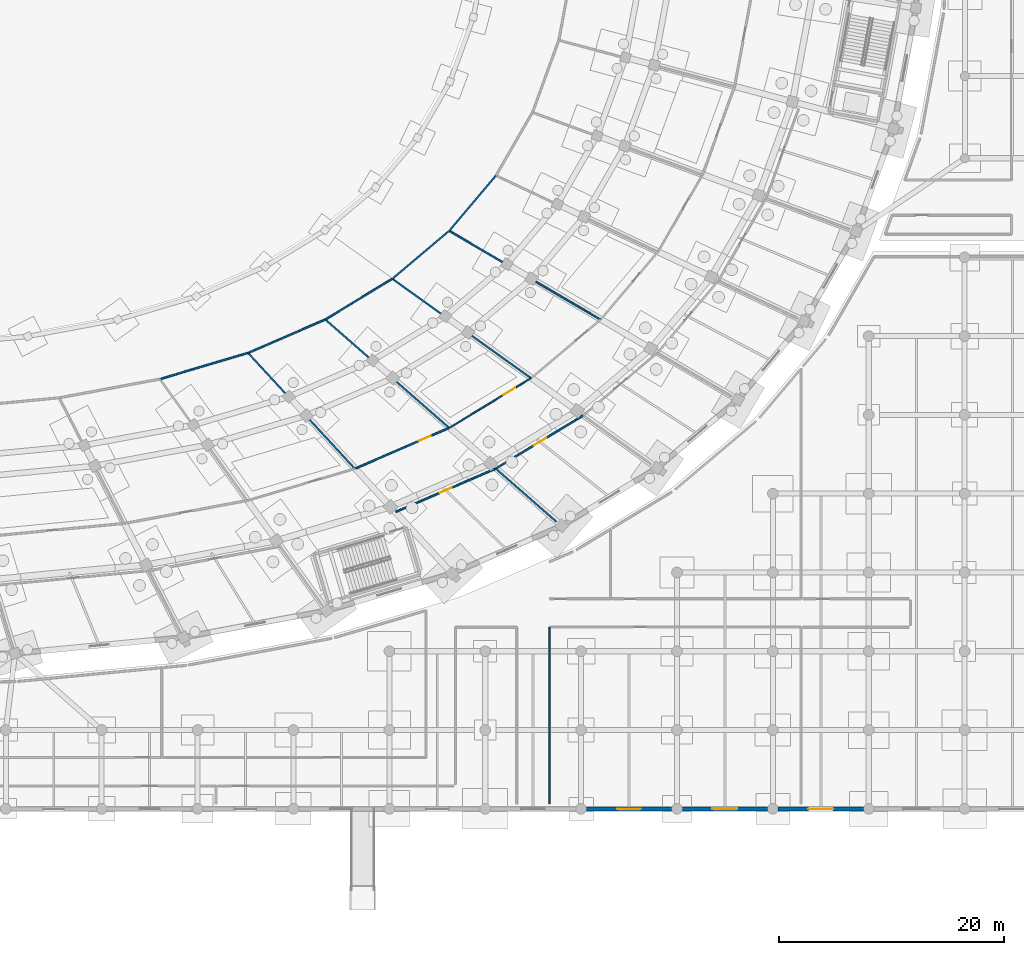
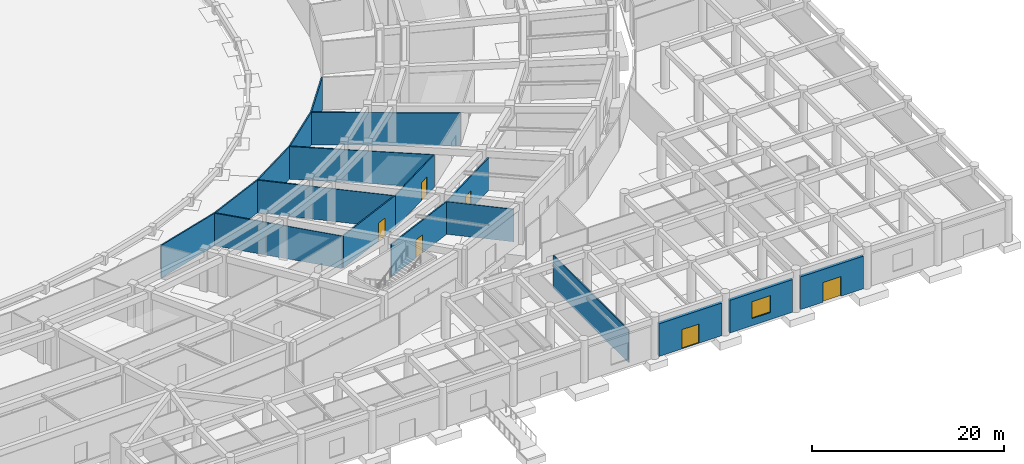
# One storey, part 50 of 88: 18 walls, 6 doors, 1 window, 7 openings.
"""IFC4 building model written with IfcOpenShell, lengths in metres."""

from ifc_helpers import new_model, si_unit, direction, frame, frame_2d, origin, place, context, subcontext, project, spatial, rectangle, extrude, material, layer, layer_set, type_object, element, fill, save


model = new_model("IFC4")

# Units and contexts
model_context = context("Model", 3, precision=1e-05, world=origin(), true_north=direction((0.0, 1.0)))
body_context = subcontext(model_context, "Body", "Model", "MODEL_VIEW")
ifc_project = project(units=[si_unit("LENGTHUNIT", "METRE"), si_unit("AREAUNIT", "SQUARE_METRE"), si_unit("VOLUMEUNIT", "CUBIC_METRE"), si_unit("PLANEANGLEUNIT", "RADIAN"), si_unit("MASSUNIT", "GRAM", prefix="KILO")], contexts=[model_context])

# Site, building, storey
site_placement = place(None, origin())
site = spatial("IfcSite", under=ifc_project, at=site_placement, CompositionType="ELEMENT")
building_placement = place(site_placement, origin())
building = spatial("IfcBuilding", under=site, at=building_placement, Name="Mphavela Belvedere Stadium", CompositionType="ELEMENT")
storey_placement = place(building_placement, origin())
storey = spatial("IfcBuildingStorey", under=building, at=storey_placement, Name="L00", CompositionType="ELEMENT", Elevation=0.0)

# Wall, opening, door
ifc_material_1 = material(Name="Honed ashlar limestone masonry", Category="masonry")
ifc_layer_1 = layer(ifc_material_1, 0.35009765625)
ifc_layer_set_1 = layer_set([ifc_layer_1], Name="Honed ashlar limestone masonry")
wall_type_1 = type_object("IfcWallType", Name="WAL-EXT-ASHLAR-350", PredefinedType="STANDARD", material=ifc_layer_set_1)
wall_1_placement = place(storey_placement, frame((195.452880859375, 0.0, 0.0), z_axis=(0.0, 0.0, 1.0), x_axis=(-1.0, 0.0, 0.0)))
wall_1 = element("IfcWall", 1, at=wall_1_placement, inside=storey, type_object=wall_type_1, Name="South Axial Triumphal Peristyle Portico outer facade bay L00-23", PredefinedType="STANDARD", context=body_context, shape_type="SweptSolid", body=[
    extrude(rectangle(XDim=7.572998046875, YDim=0.35009765625, at=frame_2d((3.78662109375, 0.0))), origin(), (0.0, 0.0, 1.0), 4.159912109375),
])
opening_1_placement = place(wall_1_placement, frame((2.736572265625, 0.0, 0.0)))
opening_1 = element("IfcOpeningElement", 2, at=opening_1_placement, cuts=wall_1, Name="Opening ED-036", PredefinedType="OPENING", context=body_context, shape_type="SweptSolid", body=[
    extrude(rectangle(XDim=2.10009765625, YDim=2.449951171875, at=frame_2d((1.050048828125, 1.22509765625))), frame((0.0, 0.18505859375, 0.0), z_axis=(0.0, -1.0, 0.0), x_axis=(1.0, 0.0, 0.0)), (0.0, 0.0, 1.0), 0.3701171875),
])
ifc_material_2 = material(Name="Glazed bronze-anodised steel exit doorset", Category="steel")
door_type_1 = type_object("IfcDoorType", Name="DR-EXT-04", OperationType="NOTDEFINED", PredefinedType="DOOR", material=ifc_material_2)
door_1_placement = place(opening_1_placement, origin())
door_1 = element("IfcDoor", 3, at=door_1_placement, inside=storey, type_object=door_type_1, Name="South Axial Triumphal Peristyle Portico ceremonial exit doorset ED-036", OperationType="DOUBLE_DOOR_SINGLE_SWING", OverallHeight=2.449951171875, OverallWidth=2.10009765625, PredefinedType="DOOR", context=body_context, shape_type="SweptSolid", body=[
    extrude(rectangle(XDim=2.10009765625, YDim=2.449951171875, at=frame_2d((1.050048828125, 1.22509765625))), frame((0.0, 0.02490234375, 0.0), z_axis=(0.0, -1.0, 0.0), x_axis=(1.0, 0.0, 0.0)), (0.0, 0.0, 1.0), 0.050048828125),
])
fill(opening_1, door_1)

# Wall, opening, window
wall_2_placement = place(storey_placement, frame((203.970947265625, 0.0, 0.0), z_axis=(0.0, 0.0, 1.0), x_axis=(-1.0, 0.0, 0.0)))
wall_2 = element("IfcWall", 4, at=wall_2_placement, inside=storey, type_object=wall_type_1, Name="South Axial Triumphal Peristyle Portico outer facade bay L00-24", PredefinedType="STANDARD", context=body_context, shape_type="SweptSolid", body=[
    extrude(rectangle(XDim=7.572021484375, YDim=0.35009765625, at=frame_2d((3.7861328125, 0.0))), origin(), (0.0, 0.0, 1.0), 4.159912109375),
])
opening_2_placement = place(wall_2_placement, frame((2.676025390625, 0.0, 0.89990234375)))
opening_2 = element("IfcOpeningElement", 5, at=opening_2_placement, cuts=wall_2, Name="Opening W-042", PredefinedType="OPENING", context=body_context, shape_type="SweptSolid", body=[
    extrude(rectangle(XDim=2.219970703125, YDim=2.14990234375, at=frame_2d((1.10986328125, 1.074951171875))), frame((0.0, 0.18505859375, 0.0), z_axis=(0.0, -1.0, 0.0), x_axis=(1.0, 0.0, 0.0)), (0.0, 0.0, 1.0), 0.3701171875),
])
ifc_material_3 = material(Name="Bronze-anodised thermally broken aluminium window", Category="aluminium")
window_type = type_object("IfcWindowType", Name="WIN-EXT-42", PartitioningType="SINGLE_PANEL", PredefinedType="WINDOW", material=ifc_material_3)
window_placement = place(opening_2_placement, origin())
window = element("IfcWindow", 6, at=window_placement, inside=storey, type_object=window_type, Name="South Axial Triumphal Peristyle Portico classical window W-042", OverallHeight=2.14990234375, OverallWidth=2.219970703125, PartitioningType="SINGLE_PANEL", PredefinedType="WINDOW", context=body_context, shape_type="SweptSolid", body=[
    extrude(rectangle(XDim=2.219970703125, YDim=2.14990234375, at=frame_2d((1.10986328125, 1.074951171875))), frame((0.0, 0.030029296875, 0.0), z_axis=(0.0, -1.0, 0.0), x_axis=(1.0, 0.0, 0.0)), (0.0, 0.0, 1.0), 0.06005859375),
])
fill(opening_2, window)

# Wall, opening, door
wall_3_placement = place(storey_placement, frame((212.489990234375, 0.0, 0.0), z_axis=(0.0, 0.0, 1.0), x_axis=(-1.0, 0.0, 0.0)))
wall_3 = element("IfcWall", 7, at=wall_3_placement, inside=storey, type_object=wall_type_1, Name="South Axial Triumphal Peristyle Portico outer facade bay L00-25", PredefinedType="STANDARD", context=body_context, shape_type="SweptSolid", body=[
    extrude(rectangle(XDim=7.572998046875, YDim=0.35009765625, at=frame_2d((3.78662109375, 0.0))), origin(), (0.0, 0.0, 1.0), 4.159912109375),
])
opening_3_placement = place(wall_3_placement, frame((2.6865234375, 0.0, 0.0)))
opening_3 = element("IfcOpeningElement", 8, at=opening_3_placement, cuts=wall_3, Name="Opening ED-037", PredefinedType="OPENING", context=body_context, shape_type="SweptSolid", body=[
    extrude(rectangle(XDim=2.199951171875, YDim=2.5, at=frame_2d((1.10009765625, 1.25))), frame((0.0, 0.18505859375, 0.0), z_axis=(0.0, -1.0, 0.0), x_axis=(1.0, 0.0, 0.0)), (0.0, 0.0, 1.0), 0.3701171875),
])
ifc_material_4 = material(Name="Glazed bronze-anodised steel exit doorset", Category="steel")
door_type_2 = type_object("IfcDoorType", Name="DR-EXT-05", OperationType="NOTDEFINED", PredefinedType="DOOR", material=ifc_material_4)
door_2_placement = place(opening_3_placement, origin())
door_2 = element("IfcDoor", 9, at=door_2_placement, inside=storey, type_object=door_type_2, Name="South Axial Triumphal Peristyle Portico ceremonial exit doorset ED-037", OperationType="DOUBLE_DOOR_SINGLE_SWING", OverallHeight=2.5, OverallWidth=2.199951171875, PredefinedType="DOOR", context=body_context, shape_type="SweptSolid", body=[
    extrude(rectangle(XDim=2.199951171875, YDim=2.5, at=frame_2d((1.10009765625, 1.25))), frame((0.0, 0.02490234375, 0.0), z_axis=(0.0, -1.0, 0.0), x_axis=(1.0, 0.0, 0.0)), (0.0, 0.0, 1.0), 0.050048828125),
])
fill(opening_3, door_2)

ifc_material_5 = material(Name="Moisture-resistant sanitary partition assembly")
ifc_layer_2 = layer(ifc_material_5, 0.125)
ifc_layer_set_2 = layer_set([ifc_layer_2], Name="Moisture-resistant sanitary partition assembly")
wall_type_2 = type_object("IfcWallType", Name="WAL-PART-125", PredefinedType="PARTITIONING", material=ifc_layer_set_2)
wall_4_placement = place(storey_placement, frame((182.95654296875, 38.26025390625, 0.0), z_axis=(0.0, 0.0, 1.0), x_axis=(-0.854330104408, -0.519730769439, 0.0)))
wall_4 = element("IfcWall", 10, at=wall_4_placement, inside=storey, type_object=wall_type_2, Name="Room L00-143 corridor partition", PredefinedType="PARTITIONING", context=body_context, shape_type="SweptSolid", body=[
    extrude(rectangle(XDim=8.420166015625, YDim=0.125, at=frame_2d((4.2099609375, 0.0))), origin(), (0.0, 0.0, 1.0), 4.14990234375),
])
opening_4_placement = place(wall_4_placement, frame((1.632080078125, 0.0, 0.0)))
opening_4 = element("IfcOpeningElement", 11, at=opening_4_placement, cuts=wall_4, Name="Opening ID-069", PredefinedType="OPENING", context=body_context, shape_type="SweptSolid", body=[
    extrude(rectangle(XDim=1.219970703125, YDim=2.300048828125, at=frame_2d((0.60986328125, 1.14990234375))), frame((0.0, 0.072509765625, 0.0), z_axis=(0.0, -1.0, 0.0), x_axis=(1.0, 0.0, 0.0)), (0.0, 0.0, 1.0), 0.14501953125),
])
ifc_material_6 = material(Name="Hardwood acoustic timber doorset", Category="wood")
door_type_3 = type_object("IfcDoorType", Name="DR-INT-33", OperationType="NOTDEFINED", PredefinedType="DOOR", material=ifc_material_6)
door_3_placement = place(opening_4_placement, origin())
door_3 = element("IfcDoor", 12, at=door_3_placement, inside=storey, type_object=door_type_3, Name="Room L00-143 entrance door ID-069", OperationType="SINGLE_SWING_LEFT", OverallHeight=2.300048828125, OverallWidth=1.219970703125, PredefinedType="DOOR", context=body_context, shape_type="SweptSolid", body=[
    extrude(rectangle(XDim=1.219970703125, YDim=2.300048828125, at=frame_2d((0.60986328125, 1.14990234375))), frame((0.0, 0.02490234375, 0.0), z_axis=(0.0, -1.0, 0.0), x_axis=(1.0, 0.0, 0.0)), (0.0, 0.0, 1.0), 0.050048828125),
])
fill(opening_4, door_3)

ifc_material_7 = material(Name="Acoustic gypsum stud partition assembly")
ifc_layer_3 = layer(ifc_material_7, 0.14990234375)
ifc_layer_set_3 = layer_set([ifc_layer_3], Name="Acoustic gypsum stud partition assembly")
wall_type_3 = type_object("IfcWallType", Name="WAL-PART-150", PredefinedType="PARTITIONING", material=ifc_layer_set_3)
wall_5_placement = place(storey_placement, frame((175.684814453125, 33.84619140625, 0.0), z_axis=(0.0, 0.0, 1.0), x_axis=(-0.917494590455, -0.397748257677, 0.0)))
wall_5 = element("IfcWall", 13, at=wall_5_placement, inside=storey, type_object=wall_type_3, Name="Room L00-140 corridor partition", PredefinedType="PARTITIONING", context=body_context, shape_type="SweptSolid", body=[
    extrude(rectangle(XDim=9.04931640625, YDim=0.14990234375, at=frame_2d((4.524658203125, 0.0))), origin(), (0.0, 0.0, 1.0), 4.14990234375),
])
opening_5_placement = place(wall_5_placement, frame((1.77392578125, 0.0, 0.0)))
opening_5 = element("IfcOpeningElement", 14, at=opening_5_placement, cuts=wall_5, Name="Opening ID-067", PredefinedType="OPENING", context=body_context, shape_type="SweptSolid", body=[
    extrude(rectangle(XDim=1.139892578125, YDim=2.300048828125, at=frame_2d((0.56982421875, 1.14990234375))), frame((0.0, 0.0849609375, 0.0), z_axis=(0.0, -1.0, 0.0), x_axis=(1.0, 0.0, 0.0)), (0.0, 0.0, 1.0), 0.169921875),
])
ifc_material_8 = material(Name="Hardwood acoustic timber doorset", Category="wood")
door_type_4 = type_object("IfcDoorType", Name="DR-INT-31", OperationType="NOTDEFINED", PredefinedType="DOOR", material=ifc_material_8)
door_4_placement = place(opening_5_placement, origin())
door_4 = element("IfcDoor", 15, at=door_4_placement, inside=storey, type_object=door_type_4, Name="Room L00-140 entrance door ID-067", OperationType="SINGLE_SWING_LEFT", OverallHeight=2.300048828125, OverallWidth=1.139892578125, PredefinedType="DOOR", context=body_context, shape_type="SweptSolid", body=[
    extrude(rectangle(XDim=1.139892578125, YDim=2.300048828125, at=frame_2d((0.56982421875, 1.14990234375))), frame((0.0, 0.02490234375, 0.0), z_axis=(0.0, -1.0, 0.0), x_axis=(1.0, 0.0, 0.0)), (0.0, 0.0, 1.0), 0.050048828125),
])
fill(opening_5, door_4)

wall_6_placement = place(storey_placement, frame((170.9462890625, 26.38134765625, 0.0), z_axis=(0.0, 0.0, 1.0), x_axis=(0.917508957037, 0.39771511633, 0.0)))
wall_6 = element("IfcWall", 16, at=wall_6_placement, inside=storey, type_object=wall_type_3, Name="Room L00-141 corridor partition", PredefinedType="PARTITIONING", context=body_context, shape_type="SweptSolid", body=[
    extrude(rectangle(XDim=9.67138671875, YDim=0.14990234375, at=frame_2d((4.835693359375, 0.0))), origin(), (0.0, 0.0, 1.0), 4.14990234375),
])
opening_6_placement = place(wall_6_placement, frame((4.24560546875, 0.0, 0.0)))
opening_6 = element("IfcOpeningElement", 17, at=opening_6_placement, cuts=wall_6, Name="Opening ID-068", PredefinedType="OPENING", context=body_context, shape_type="SweptSolid", body=[
    extrude(rectangle(XDim=1.179931640625, YDim=2.300048828125, at=frame_2d((0.58984375, 1.14990234375))), frame((0.0, 0.0849609375, 0.0), z_axis=(0.0, -1.0, 0.0), x_axis=(1.0, 0.0, 0.0)), (0.0, 0.0, 1.0), 0.169921875),
])
ifc_material_9 = material(Name="Hardwood acoustic timber doorset", Category="wood")
door_type_5 = type_object("IfcDoorType", Name="DR-INT-32", OperationType="NOTDEFINED", PredefinedType="DOOR", material=ifc_material_9)
door_5_placement = place(opening_6_placement, origin())
door_5 = element("IfcDoor", 18, at=door_5_placement, inside=storey, type_object=door_type_5, Name="Room L00-141 entrance door ID-068", OperationType="SINGLE_SWING_RIGHT", OverallHeight=2.300048828125, OverallWidth=1.179931640625, PredefinedType="DOOR", context=body_context, shape_type="SweptSolid", body=[
    extrude(rectangle(XDim=1.179931640625, YDim=2.300048828125, at=frame_2d((0.58984375, 1.14990234375))), frame((0.0, 0.02490234375, 0.0), z_axis=(0.0, -1.0, 0.0), x_axis=(1.0, 0.0, 0.0)), (0.0, 0.0, 1.0), 0.050048828125),
])
fill(opening_6, door_5)

wall_7_placement = place(storey_placement, frame((179.89453125, 30.268798828125, 0.0), z_axis=(0.0, 0.0, 1.0), x_axis=(0.854321649351, 0.519744667554, 0.0)))
wall_7 = element("IfcWall", 19, at=wall_7_placement, inside=storey, type_object=wall_type_3, Name="Room L00-144 corridor partition", PredefinedType="PARTITIONING", context=body_context, shape_type="SweptSolid", body=[
    extrude(rectangle(XDim=8.99853515625, YDim=0.14990234375, at=frame_2d((4.499267578125, 0.0))), origin(), (0.0, 0.0, 1.0), 4.14990234375),
])
opening_7_placement = place(wall_7_placement, frame((3.869384765625, 0.0, 0.0)))
opening_7 = element("IfcOpeningElement", 20, at=opening_7_placement, cuts=wall_7, Name="Opening ID-070", PredefinedType="OPENING", context=body_context, shape_type="SweptSolid", body=[
    extrude(rectangle(XDim=1.260009765625, YDim=2.300048828125, at=frame_2d((0.6298828125, 1.14990234375))), frame((0.0, 0.0849609375, 0.0), z_axis=(0.0, -1.0, 0.0), x_axis=(1.0, 0.0, 0.0)), (0.0, 0.0, 1.0), 0.169921875),
])
ifc_material_10 = material(Name="Hardwood acoustic timber doorset", Category="wood")
door_type_6 = type_object("IfcDoorType", Name="DR-INT-34", OperationType="NOTDEFINED", PredefinedType="DOOR", material=ifc_material_10)
door_6_placement = place(opening_7_placement, origin())
door_6 = element("IfcDoor", 21, at=door_6_placement, inside=storey, type_object=door_type_6, Name="Room L00-144 entrance door ID-070", OperationType="SINGLE_SWING_RIGHT", OverallHeight=2.300048828125, OverallWidth=1.260009765625, PredefinedType="DOOR", context=body_context, shape_type="SweptSolid", body=[
    extrude(rectangle(XDim=1.260009765625, YDim=2.300048828125, at=frame_2d((0.6298828125, 1.14990234375))), frame((0.0, 0.02490234375, 0.0), z_axis=(0.0, -1.0, 0.0), x_axis=(1.0, 0.0, 0.0)), (0.0, 0.0, 1.0), 0.050048828125),
])
fill(opening_7, door_6)

# Walls
wall_8_placement = place(storey_placement, frame((150.067138671875, 38.20361328125, 0.0), z_axis=(0.0, 0.0, 1.0), x_axis=(0.958664246127, 0.284539739226, 0.0)))
element("IfcWall", 22, at=wall_8_placement, inside=storey, type_object=wall_type_3, Name="Room divider partition L00-0115", PredefinedType="PARTITIONING", context=body_context, shape_type="SweptSolid", body=[
    extrude(rectangle(XDim=8.08349609375, YDim=0.14990234375, at=frame_2d((4.041748046875, 0.0))), origin(), (0.0, 0.0, 1.0), 4.14990234375),
])
wall_9_placement = place(storey_placement, frame((157.81640625, 40.503662109375, 0.0), z_axis=(0.0, 0.0, 1.0), x_axis=(0.677850870133, -0.735199427271, 0.0)))
element("IfcWall", 23, at=wall_9_placement, inside=storey, type_object=wall_type_3, Name="Room divider partition L00-0116", PredefinedType="PARTITIONING", context=body_context, shape_type="SweptSolid", body=[
    extrude(rectangle(XDim=13.989013671875, YDim=0.14990234375, at=frame_2d((6.99462890625, 0.0))), origin(), (0.0, 0.0, 1.0), 4.14990234375),
])
wall_10_placement = place(storey_placement, frame((157.896484375, 40.534912109375, 0.0), z_axis=(0.0, 0.0, 1.0), x_axis=(0.917502611666, 0.397729754463, 0.0)))
element("IfcWall", 24, at=wall_10_placement, inside=storey, type_object=wall_type_3, Name="Room divider partition L00-0117", PredefinedType="PARTITIONING", context=body_context, shape_type="SweptSolid", body=[
    extrude(rectangle(XDim=7.3935546875, YDim=0.14990234375, at=frame_2d((3.69677734375, 0.0))), origin(), (0.0, 0.0, 1.0), 4.14990234375),
])
wall_11_placement = place(storey_placement, frame((164.68017578125, 43.4755859375, 0.0), z_axis=(0.0, 0.0, 1.0), x_axis=(0.752565317778, -0.658517609846, 0.0)))
element("IfcWall", 25, at=wall_11_placement, inside=storey, type_object=wall_type_3, Name="Room divider partition L00-0118", PredefinedType="PARTITIONING", context=body_context, shape_type="SweptSolid", body=[
    extrude(rectangle(XDim=14.622802734375, YDim=0.14990234375, at=frame_2d((7.3115234375, 0.0))), origin(), (0.0, 0.0, 1.0), 4.14990234375),
])
wall_12_placement = place(storey_placement, frame((179.81982421875, 30.227783203125, 0.0), z_axis=(0.0, 0.0, 1.0), x_axis=(0.752576694707, -0.658504607869, 0.0)))
element("IfcWall", 26, at=wall_12_placement, inside=storey, type_object=wall_type_3, Name="Room divider partition L00-0119", PredefinedType="PARTITIONING", context=body_context, shape_type="SweptSolid", body=[
    extrude(rectangle(XDim=7.178466796875, YDim=0.14990234375, at=frame_2d((3.58935546875, 0.0))), origin(), (0.0, 0.0, 1.0), 4.14990234375),
])
wall_13_placement = place(storey_placement, frame((164.7548828125, 43.5166015625, 0.0), z_axis=(0.0, 0.0, 1.0), x_axis=(0.8543356111, 0.519721717467, 0.0)))
element("IfcWall", 27, at=wall_13_placement, inside=storey, type_object=wall_type_3, Name="Room divider partition L00-0120", PredefinedType="PARTITIONING", context=body_context, shape_type="SweptSolid", body=[
    extrude(rectangle(XDim=6.878173828125, YDim=0.14990234375, at=frame_2d((3.43896484375, 0.0))), origin(), (0.0, 0.0, 1.0), 4.14990234375),
])
wall_14_placement = place(storey_placement, frame((170.631103515625, 47.09130859375, 0.0), z_axis=(0.0, 0.0, 1.0), x_axis=(0.812885100642, -0.582424083597, 0.0)))
element("IfcWall", 28, at=wall_14_placement, inside=storey, type_object=wall_type_3, Name="Room divider partition L00-0121", PredefinedType="PARTITIONING", context=body_context, shape_type="SweptSolid", body=[
    extrude(rectangle(XDim=15.16259765625, YDim=0.14990234375, at=frame_2d((7.581298828125, 0.0))), origin(), (0.0, 0.0, 1.0), 4.14990234375),
])
wall_15_placement = place(storey_placement, frame((170.697998046875, 47.141845703125, 0.0), z_axis=(0.0, 0.0, 1.0), x_axis=(0.764256908649, 0.644911914592, 0.0)))
element("IfcWall", 29, at=wall_15_placement, inside=storey, type_object=wall_type_3, Name="Room divider partition L00-0123", PredefinedType="PARTITIONING", context=body_context, shape_type="SweptSolid", body=[
    extrude(rectangle(XDim=6.525634765625, YDim=0.14990234375, at=frame_2d((3.2626953125, 0.0))), origin(), (0.0, 0.0, 1.0), 4.14990234375),
])
wall_16_placement = place(storey_placement, frame((175.685302734375, 51.350341796875, 0.0), z_axis=(0.0, 0.0, 1.0), x_axis=(0.862516522271, -0.50602890116, 0.0)))
element("IfcWall", 30, at=wall_16_placement, inside=storey, type_object=wall_type_3, Name="Room divider partition L00-0124", PredefinedType="PARTITIONING", context=body_context, shape_type="SweptSolid", body=[
    extrude(rectangle(XDim=15.59130859375, YDim=0.14990234375, at=frame_2d((7.795654296875, 0.0))), origin(), (0.0, 0.0, 1.0), 4.14990234375),
])
wall_17_placement = place(storey_placement, frame((175.7421875, 51.40966796875, 0.0), z_axis=(0.0, 0.0, 1.0), x_axis=(0.645182313149, 0.764028653127, 0.0)))
element("IfcWall", 31, at=wall_17_placement, inside=storey, type_object=wall_type_3, Name="Room divider partition L00-0126", PredefinedType="PARTITIONING", context=body_context, shape_type="SweptSolid", body=[
    extrude(rectangle(XDim=6.353759765625, YDim=0.14990234375, at=frame_2d((3.1767578125, 0.0))), origin(), (0.0, 0.0, 1.0), 4.14990234375),
])
wall_18_placement = place(storey_placement, frame((184.610107421875, 0.449951171875, 0.0), z_axis=(0.0, 0.0, 1.0), x_axis=(0.0, 1.0, 0.0)))
element("IfcWall", 32, at=wall_18_placement, inside=storey, type_object=wall_type_3, Name="Room divider partition L00-0674", PredefinedType="PARTITIONING", context=body_context, shape_type="SweptSolid", body=[
    extrude(rectangle(XDim=15.68994140625, YDim=0.14990234375, at=frame_2d((7.844970703125, 0.0))), origin(), (0.0, 0.0, 1.0), 4.14990234375),
])

save(model, "model.ifc")
